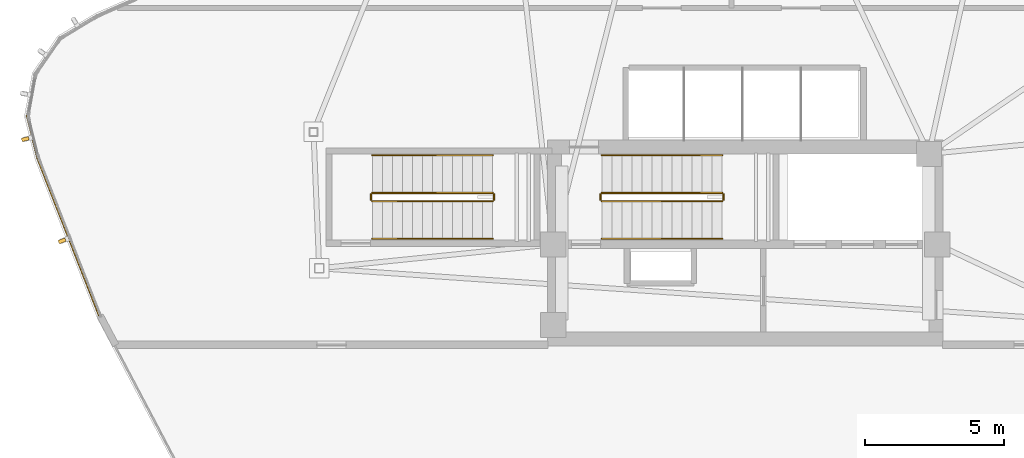
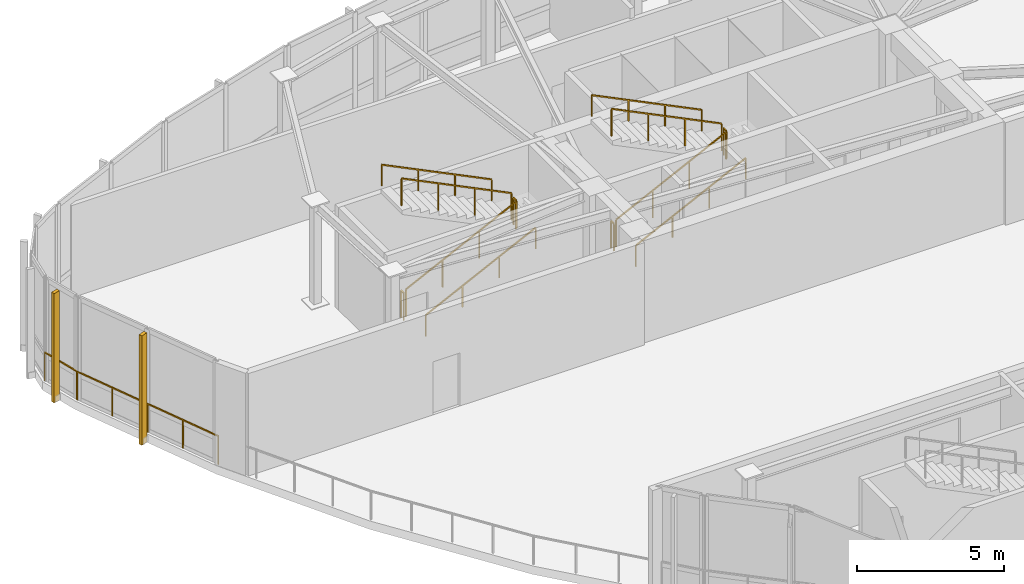
# One storey, part 14 of 16: 14 railings, 2 shading devices.
"""IFC4 building model written with IfcOpenShell, lengths in metres."""

from ifc_helpers import new_model, si_unit, direction, frame, origin, origin_2d, place, context, subcontext, project, spatial, rectangle, extrude, source, transform, mapped, material, type_object, type_shapes, element, save


model = new_model("IFC4")

# Units and contexts
model_context = context("Model", 3, precision=1e-05, world=origin(), true_north=direction((0.0, 1.0)))
body_context = subcontext(model_context, "Body", "Model", "MODEL_VIEW")
ifc_project = project(units=[si_unit("LENGTHUNIT", "METRE"), si_unit("AREAUNIT", "SQUARE_METRE"), si_unit("VOLUMEUNIT", "CUBIC_METRE"), si_unit("PLANEANGLEUNIT", "RADIAN"), si_unit("MASSUNIT", "GRAM", prefix="KILO")], contexts=[model_context])

# Site, building, storey
site_placement = place(None, origin())
site = spatial("IfcSite", under=ifc_project, at=site_placement, CompositionType="ELEMENT")
building_placement = place(site_placement, origin())
building = spatial("IfcBuilding", under=site, at=building_placement, Name="Tavelor Broadcast Tower", CompositionType="ELEMENT")
storey_placement = place(building_placement, frame((0.0, 0.0, 332.10009765625)))
storey = spatial("IfcBuildingStorey", under=building, at=storey_placement, Name="L79", CompositionType="ELEMENT", Elevation=332.10009765625)

# Railings
ifc_material_1 = material(Name="Steel S355", Category="steel")
railing_type_1 = type_object("IfcRailingType", Name="Continuous Brushed Stainless Handrail 900 mm", PredefinedType="HANDRAIL", material=ifc_material_1)
railing_1_placement = place(storey_placement, frame((44.85009765625, 48.14990234375, 0.1767578125)))
element("IfcRailing", 1, at=railing_1_placement, inside=storey, type_object=railing_type_1, Name="L79 ST1 stair handrail 1", PredefinedType="HANDRAIL", context=body_context, shape_type="SweptSolid", body=[
    extrude(rectangle(XDim=0.048095703125, YDim=0.048095703125, at=origin_2d()), frame((0.0, 0.0, 0.8759765625), z_axis=(0.897469794739, 0.0, 0.441075920371), x_axis=(0.0, 1.0, 0.0)), (0.0, 0.0, 1.0), 4.813232421875),
    extrude(rectangle(XDim=0.0419921875, YDim=0.0419921875, at=origin_2d()), origin(), (0.0, 0.0, 1.0), 0.851806640625),
    extrude(rectangle(XDim=0.0419921875, YDim=0.0419921875, at=origin_2d()), frame((1.43994140625, 0.0, 0.707763671875)), (0.0, 0.0, 1.0), 0.851806640625),
    extrude(rectangle(XDim=0.0419921875, YDim=0.0419921875, at=origin_2d()), frame((2.8798828125, 0.0, 1.415283203125)), (0.0, 0.0, 1.0), 0.851806640625),
    extrude(rectangle(XDim=0.0419921875, YDim=0.0419921875, at=origin_2d()), frame((4.31982421875, 0.0, 2.123046875)), (0.0, 0.0, 1.0), 0.851806640625),
])
railing_2_placement = place(storey_placement, frame((49.169921875, 51.14990234375, 2.476806640625)))
element("IfcRailing", 2, at=railing_2_placement, inside=storey, type_object=railing_type_1, Name="L79 ST1 stair handrail 2", PredefinedType="HANDRAIL", context=body_context, shape_type="SweptSolid", body=[
    extrude(rectangle(XDim=0.048095703125, YDim=0.048095703125, at=origin_2d()), frame((0.0, 0.0, 0.8759765625), z_axis=(-0.897469794739, 0.0, 0.441075920371), x_axis=(0.0, -1.0, 0.0)), (0.0, 0.0, 1.0), 4.813232421875),
    extrude(rectangle(XDim=0.0419921875, YDim=0.0419921875, at=origin_2d()), origin(), (0.0, 0.0, 1.0), 0.851806640625),
    extrude(rectangle(XDim=0.0419921875, YDim=0.0419921875, at=origin_2d()), frame((-1.43994140625, 0.0, 0.707763671875)), (0.0, 0.0, 1.0), 0.851806640625),
    extrude(rectangle(XDim=0.0419921875, YDim=0.0419921875, at=origin_2d()), frame((-2.8798828125, 0.0, 1.415283203125)), (0.0, 0.0, 1.0), 0.851806640625),
    extrude(rectangle(XDim=0.0419921875, YDim=0.0419921875, at=origin_2d()), frame((-4.31982421875, 0.0, 2.123046875)), (0.0, 0.0, 1.0), 0.851806640625),
])
railing_3_placement = place(storey_placement, frame((36.60009765625, 48.14990234375, 0.1767578125)))
element("IfcRailing", 3, at=railing_3_placement, inside=storey, type_object=railing_type_1, Name="L79 ST5 stair handrail 1", PredefinedType="HANDRAIL", context=body_context, shape_type="SweptSolid", body=[
    extrude(rectangle(XDim=0.048095703125, YDim=0.048095703125, at=origin_2d()), frame((0.0, 0.0, 0.8759765625), z_axis=(0.897469794739, 0.0, 0.441075920371), x_axis=(0.0, 1.0, 0.0)), (0.0, 0.0, 1.0), 4.813232421875),
    extrude(rectangle(XDim=0.0419921875, YDim=0.0419921875, at=origin_2d()), origin(), (0.0, 0.0, 1.0), 0.851806640625),
    extrude(rectangle(XDim=0.0419921875, YDim=0.0419921875, at=origin_2d()), frame((1.43994140625, 0.0, 0.707763671875)), (0.0, 0.0, 1.0), 0.851806640625),
    extrude(rectangle(XDim=0.0419921875, YDim=0.0419921875, at=origin_2d()), frame((2.8798828125, 0.0, 1.415283203125)), (0.0, 0.0, 1.0), 0.851806640625),
    extrude(rectangle(XDim=0.0419921875, YDim=0.0419921875, at=origin_2d()), frame((4.31982421875, 0.0, 2.123046875)), (0.0, 0.0, 1.0), 0.851806640625),
])
railing_4_placement = place(storey_placement, frame((40.919921875, 51.14990234375, 2.476806640625)))
element("IfcRailing", 4, at=railing_4_placement, inside=storey, type_object=railing_type_1, Name="L79 ST5 stair handrail 2", PredefinedType="HANDRAIL", context=body_context, shape_type="SweptSolid", body=[
    extrude(rectangle(XDim=0.048095703125, YDim=0.048095703125, at=origin_2d()), frame((0.0, 0.0, 0.8759765625), z_axis=(-0.897469794739, 0.0, 0.441075920371), x_axis=(0.0, -1.0, 0.0)), (0.0, 0.0, 1.0), 4.813232421875),
    extrude(rectangle(XDim=0.0419921875, YDim=0.0419921875, at=origin_2d()), origin(), (0.0, 0.0, 1.0), 0.851806640625),
    extrude(rectangle(XDim=0.0419921875, YDim=0.0419921875, at=origin_2d()), frame((-1.43994140625, 0.0, 0.707763671875)), (0.0, 0.0, 1.0), 0.851806640625),
    extrude(rectangle(XDim=0.0419921875, YDim=0.0419921875, at=origin_2d()), frame((-2.8798828125, 0.0, 1.415283203125)), (0.0, 0.0, 1.0), 0.851806640625),
    extrude(rectangle(XDim=0.0419921875, YDim=0.0419921875, at=origin_2d()), frame((-4.31982421875, 0.0, 2.123046875)), (0.0, 0.0, 1.0), 0.851806640625),
])
railing_type_2 = type_object("IfcRailingType", Name="Open Wind Floor Perimeter Safety Guardrail 1200 mm", PredefinedType="GUARDRAIL", material=ifc_material_1)
railing_5_placement = place(storey_placement, frame((24.1884765625, 52.571044921875, 0.0)))
element("IfcRailing", 5, at=railing_5_placement, inside=storey, type_object=railing_type_2, Name="L79 Crown Sky-Slot Terrace Guardrail #210", PredefinedType="GUARDRAIL", context=body_context, shape_type="SweptSolid", body=[
    extrude(rectangle(XDim=0.048095703125, YDim=0.048095703125, at=origin_2d()), frame((0.0, 0.0, 1.17578125), z_axis=(0.241027786853, -0.970518215164, 0.0), x_axis=(0.970518215164, 0.241027786853, 0.0)), (0.0, 0.0, 1.0), 1.600341796875),
    extrude(rectangle(XDim=0.0419921875, YDim=0.0419921875, at=origin_2d()), origin(), (0.0, 0.0, 1.0), 1.15185546875),
    extrude(rectangle(XDim=0.0419921875, YDim=0.0419921875, at=origin_2d()), frame((0.3857421875, -1.55322265625, 0.0)), (0.0, 0.0, 1.0), 1.15185546875),
])
railing_6_placement = place(storey_placement, frame((24.5703125, 51.0302734375, 0.0)))
element("IfcRailing", 6, at=railing_6_placement, inside=storey, type_object=railing_type_2, Name="L79 Crown Sky-Slot Terrace Guardrail #211", PredefinedType="GUARDRAIL", context=body_context, shape_type="SweptSolid", body=[
    extrude(rectangle(XDim=0.048095703125, YDim=0.048095703125, at=origin_2d()), frame((0.0, 0.0, 1.17578125), z_axis=(0.365184064073, -0.93093533575, 0.0), x_axis=(0.93093533575, 0.365184064073, 0.0)), (0.0, 0.0, 1.0), 6.14599609375),
    extrude(rectangle(XDim=0.0419921875, YDim=0.0419921875, at=origin_2d()), origin(), (0.0, 0.0, 1.0), 1.15185546875),
    extrude(rectangle(XDim=0.0419921875, YDim=0.0419921875, at=origin_2d()), frame((0.56103515625, -1.430419921875, 0.0)), (0.0, 0.0, 1.0), 1.15185546875),
    extrude(rectangle(XDim=0.0419921875, YDim=0.0419921875, at=origin_2d()), frame((1.1220703125, -2.86083984375, 0.0)), (0.0, 0.0, 1.0), 1.15185546875),
    extrude(rectangle(XDim=0.0419921875, YDim=0.0419921875, at=origin_2d()), frame((1.683349609375, -4.291015625, 0.0)), (0.0, 0.0, 1.0), 1.15185546875),
    extrude(rectangle(XDim=0.0419921875, YDim=0.0419921875, at=origin_2d()), frame((2.244384765625, -5.721435546875, 0.0)), (0.0, 0.0, 1.0), 1.15185546875),
])
railing_type_3 = type_object("IfcRailingType", Name="Stairwell Steel Safety Guardrail 1150 mm", PredefinedType="GUARDRAIL", material=ifc_material_1)
railing_7_placement = place(storey_placement, frame((44.85009765625, 49.5, 0.1767578125)))
element("IfcRailing", 7, at=railing_7_placement, inside=storey, type_object=railing_type_3, Name="L79 ST1 stair guard 1", PredefinedType="GUARDRAIL", context=body_context, shape_type="SweptSolid", body=[
    extrude(rectangle(XDim=0.048095703125, YDim=0.048095703125, at=origin_2d()), frame((0.0, 0.0, 1.1259765625), z_axis=(0.897469794739, 0.0, 0.441075920371), x_axis=(0.0, 1.0, 0.0)), (0.0, 0.0, 1.0), 4.813232421875),
    extrude(rectangle(XDim=0.0419921875, YDim=0.0419921875, at=origin_2d()), origin(), (0.0, 0.0, 1.0), 1.101806640625),
    extrude(rectangle(XDim=0.0419921875, YDim=0.0419921875, at=origin_2d()), frame((1.43994140625, 0.0, 0.707763671875)), (0.0, 0.0, 1.0), 1.101806640625),
    extrude(rectangle(XDim=0.0419921875, YDim=0.0419921875, at=origin_2d()), frame((2.8798828125, 0.0, 1.415283203125)), (0.0, 0.0, 1.0), 1.101806640625),
    extrude(rectangle(XDim=0.0419921875, YDim=0.0419921875, at=origin_2d()), frame((4.31982421875, 0.0, 2.123046875)), (0.0, 0.0, 1.0), 1.101806640625),
])
railing_8_placement = place(storey_placement, frame((49.219970703125, 49.550048828125, 2.2998046875)))
element("IfcRailing", 8, at=railing_8_placement, inside=storey, type_object=railing_type_3, Name="L79 ST1 stair guard 2", PredefinedType="GUARDRAIL", context=body_context, shape_type="SweptSolid", body=[
    extrude(rectangle(XDim=0.048095703125, YDim=0.048095703125, at=origin_2d()), frame((0.0, 0.0, 1.1259765625), z_axis=(0.0, 1.0, 0.0), x_axis=(-1.0, 0.0, 0.0)), (0.0, 0.0, 1.0), 0.199951171875),
    extrude(rectangle(XDim=0.0419921875, YDim=0.0419921875, at=origin_2d()), origin(), (0.0, 0.0, 1.0), 1.101806640625),
    extrude(rectangle(XDim=0.0419921875, YDim=0.0419921875, at=origin_2d()), frame((0.0, 0.199951171875, 0.0)), (0.0, 0.0, 1.0), 1.101806640625),
])
railing_9_placement = place(storey_placement, frame((49.169921875, 49.800048828125, 2.476806640625)))
element("IfcRailing", 9, at=railing_9_placement, inside=storey, type_object=railing_type_3, Name="L79 ST1 stair guard 3", PredefinedType="GUARDRAIL", context=body_context, shape_type="SweptSolid", body=[
    extrude(rectangle(XDim=0.048095703125, YDim=0.048095703125, at=origin_2d()), frame((0.0, 0.0, 1.1259765625), z_axis=(-0.897469794739, 0.0, 0.441075920371), x_axis=(0.0, -1.0, 0.0)), (0.0, 0.0, 1.0), 4.813232421875),
    extrude(rectangle(XDim=0.0419921875, YDim=0.0419921875, at=origin_2d()), origin(), (0.0, 0.0, 1.0), 1.101806640625),
    extrude(rectangle(XDim=0.0419921875, YDim=0.0419921875, at=origin_2d()), frame((-1.43994140625, 0.0, 0.707763671875)), (0.0, 0.0, 1.0), 1.101806640625),
    extrude(rectangle(XDim=0.0419921875, YDim=0.0419921875, at=origin_2d()), frame((-2.8798828125, 0.0, 1.415283203125)), (0.0, 0.0, 1.0), 1.101806640625),
    extrude(rectangle(XDim=0.0419921875, YDim=0.0419921875, at=origin_2d()), frame((-4.31982421875, 0.0, 2.123046875)), (0.0, 0.0, 1.0), 1.101806640625),
])
railing_10_placement = place(storey_placement, frame((44.800048828125, 49.550048828125, 0.0)))
element("IfcRailing", 10, at=railing_10_placement, inside=storey, type_object=railing_type_3, Name="L79 ST1 stair guard 4", PredefinedType="GUARDRAIL", context=body_context, shape_type="SweptSolid", body=[
    extrude(rectangle(XDim=0.048095703125, YDim=0.048095703125, at=origin_2d()), frame((0.0, 0.0, 1.1259765625), z_axis=(0.0, 1.0, 0.0), x_axis=(-1.0, 0.0, 0.0)), (0.0, 0.0, 1.0), 0.199951171875),
    extrude(rectangle(XDim=0.0419921875, YDim=0.0419921875, at=origin_2d()), origin(), (0.0, 0.0, 1.0), 1.101806640625),
    extrude(rectangle(XDim=0.0419921875, YDim=0.0419921875, at=origin_2d()), frame((0.0, 0.199951171875, 0.0)), (0.0, 0.0, 1.0), 1.101806640625),
])
railing_11_placement = place(storey_placement, frame((36.60009765625, 49.5, 0.1767578125)))
element("IfcRailing", 11, at=railing_11_placement, inside=storey, type_object=railing_type_3, Name="L79 ST5 stair guard 1", PredefinedType="GUARDRAIL", context=body_context, shape_type="SweptSolid", body=[
    extrude(rectangle(XDim=0.048095703125, YDim=0.048095703125, at=origin_2d()), frame((0.0, 0.0, 1.1259765625), z_axis=(0.897469794739, 0.0, 0.441075920371), x_axis=(0.0, 1.0, 0.0)), (0.0, 0.0, 1.0), 4.813232421875),
    extrude(rectangle(XDim=0.0419921875, YDim=0.0419921875, at=origin_2d()), origin(), (0.0, 0.0, 1.0), 1.101806640625),
    extrude(rectangle(XDim=0.0419921875, YDim=0.0419921875, at=origin_2d()), frame((1.43994140625, 0.0, 0.707763671875)), (0.0, 0.0, 1.0), 1.101806640625),
    extrude(rectangle(XDim=0.0419921875, YDim=0.0419921875, at=origin_2d()), frame((2.8798828125, 0.0, 1.415283203125)), (0.0, 0.0, 1.0), 1.101806640625),
    extrude(rectangle(XDim=0.0419921875, YDim=0.0419921875, at=origin_2d()), frame((4.31982421875, 0.0, 2.123046875)), (0.0, 0.0, 1.0), 1.101806640625),
])
railing_12_placement = place(storey_placement, frame((40.969970703125, 49.550048828125, 2.2998046875)))
element("IfcRailing", 12, at=railing_12_placement, inside=storey, type_object=railing_type_3, Name="L79 ST5 stair guard 2", PredefinedType="GUARDRAIL", context=body_context, shape_type="SweptSolid", body=[
    extrude(rectangle(XDim=0.048095703125, YDim=0.048095703125, at=origin_2d()), frame((0.0, 0.0, 1.1259765625), z_axis=(0.0, 1.0, 0.0), x_axis=(-1.0, 0.0, 0.0)), (0.0, 0.0, 1.0), 0.199951171875),
    extrude(rectangle(XDim=0.0419921875, YDim=0.0419921875, at=origin_2d()), origin(), (0.0, 0.0, 1.0), 1.101806640625),
    extrude(rectangle(XDim=0.0419921875, YDim=0.0419921875, at=origin_2d()), frame((0.0, 0.199951171875, 0.0)), (0.0, 0.0, 1.0), 1.101806640625),
])
railing_13_placement = place(storey_placement, frame((40.919921875, 49.800048828125, 2.476806640625)))
element("IfcRailing", 13, at=railing_13_placement, inside=storey, type_object=railing_type_3, Name="L79 ST5 stair guard 3", PredefinedType="GUARDRAIL", context=body_context, shape_type="SweptSolid", body=[
    extrude(rectangle(XDim=0.048095703125, YDim=0.048095703125, at=origin_2d()), frame((0.0, 0.0, 1.1259765625), z_axis=(-0.897469794739, 0.0, 0.441075920371), x_axis=(0.0, -1.0, 0.0)), (0.0, 0.0, 1.0), 4.813232421875),
    extrude(rectangle(XDim=0.0419921875, YDim=0.0419921875, at=origin_2d()), origin(), (0.0, 0.0, 1.0), 1.101806640625),
    extrude(rectangle(XDim=0.0419921875, YDim=0.0419921875, at=origin_2d()), frame((-1.43994140625, 0.0, 0.707763671875)), (0.0, 0.0, 1.0), 1.101806640625),
    extrude(rectangle(XDim=0.0419921875, YDim=0.0419921875, at=origin_2d()), frame((-2.8798828125, 0.0, 1.415283203125)), (0.0, 0.0, 1.0), 1.101806640625),
    extrude(rectangle(XDim=0.0419921875, YDim=0.0419921875, at=origin_2d()), frame((-4.31982421875, 0.0, 2.123046875)), (0.0, 0.0, 1.0), 1.101806640625),
])
railing_14_placement = place(storey_placement, frame((36.550048828125, 49.550048828125, 0.0)))
element("IfcRailing", 14, at=railing_14_placement, inside=storey, type_object=railing_type_3, Name="L79 ST5 stair guard 4", PredefinedType="GUARDRAIL", context=body_context, shape_type="SweptSolid", body=[
    extrude(rectangle(XDim=0.048095703125, YDim=0.048095703125, at=origin_2d()), frame((0.0, 0.0, 1.1259765625), z_axis=(0.0, 1.0, 0.0), x_axis=(-1.0, 0.0, 0.0)), (0.0, 0.0, 1.0), 0.199951171875),
    extrude(rectangle(XDim=0.0419921875, YDim=0.0419921875, at=origin_2d()), origin(), (0.0, 0.0, 1.0), 1.101806640625),
    extrude(rectangle(XDim=0.0419921875, YDim=0.0419921875, at=origin_2d()), frame((0.0, 0.199951171875, 0.0)), (0.0, 0.0, 1.0), 1.101806640625),
])

# Shading devices
ifc_material_2 = material(Name="Kiln-Fired Glazed Terracotta", Category="masonry")
shading_device_type = type_object("IfcShadingDeviceType", Name="Extruded Terracotta Corner Baguette 130x260", PredefinedType="JALOUSIE", material=ifc_material_2)
shared_shape = source(origin(), body_context, "Body", "SweptSolid", [
    extrude(rectangle(XDim=0.1298828125, YDim=0.260009765625, at=origin_2d()), origin(), (0.0, 0.0, 1.0), 4.5400390625),
])
type_shapes(shading_device_type, [shared_shape])
for number, where, z_axis, x_axis, name in (
    (15, (24.12890625, 51.731689453125, -0.31005859375), (0.0, 0.0, 1.0), (0.241075060833, -0.970506473469, 0.0), "L79 Terracotta Baguette Fin 760"),
    (16, (25.450439453125, 48.07470703125, -0.31005859375), (0.0, 0.0, 1.0), (0.365201761892, -0.930928393117, 0.0), "L79 Terracotta Baguette Fin 761"),
):
    element("IfcShadingDevice", number, at=place(storey_placement, frame(where, z_axis=z_axis, x_axis=x_axis)), inside=storey, type_object=shading_device_type, Name=name, PredefinedType="JALOUSIE", context=body_context, shape_type="MappedRepresentation", body=[
        mapped(shared_shape, transform((0.0, 0.0, 0.0), scale=1.0)),
    ])

save(model, "model.ifc")
